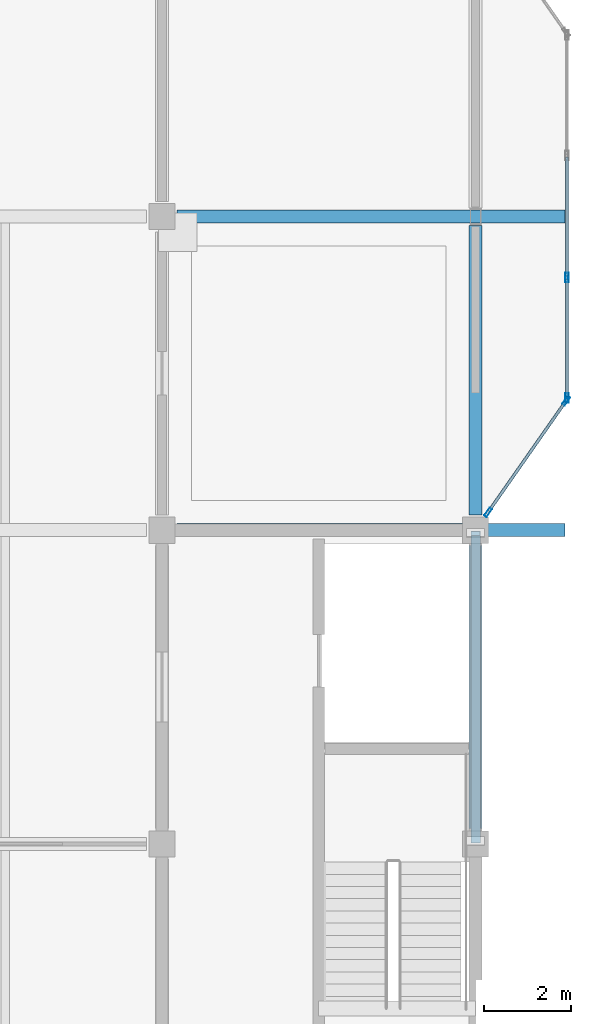
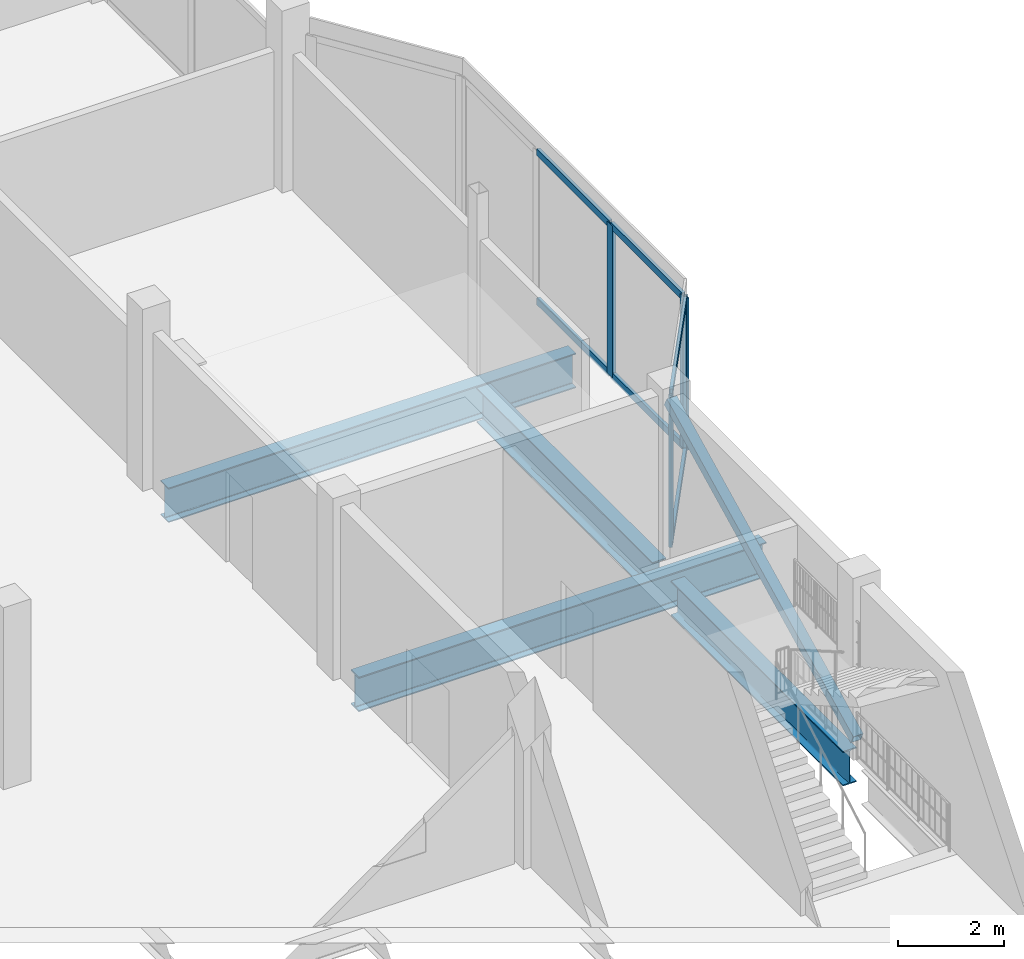
# One storey, part 30 of 51: 11 members, 4 beams, 2 elements without a shape of their own.
"""IFC4 building model written with IfcOpenShell, lengths in metres."""

from ifc_helpers import new_model, si_unit, direction, frame, origin, origin_2d, place, context, subcontext, project, spatial, hollow_rectangle, i_section, extrude, material, material_profile, profile_set, type_object, element, aggregate, save


model = new_model("IFC4")

# Units and contexts
model_context = context("Model", 3, precision=1e-05, world=origin(), true_north=direction((0.0, 1.0)))
body_context = subcontext(model_context, "Body", "Model", "MODEL_VIEW")
ifc_project = project(units=[si_unit("LENGTHUNIT", "METRE"), si_unit("AREAUNIT", "SQUARE_METRE"), si_unit("VOLUMEUNIT", "CUBIC_METRE"), si_unit("PLANEANGLEUNIT", "RADIAN"), si_unit("MASSUNIT", "GRAM", prefix="KILO")], contexts=[model_context])

# Site, building, storey
site_placement = place(None, origin())
site = spatial("IfcSite", under=ifc_project, at=site_placement, CompositionType="ELEMENT")
building_placement = place(site_placement, origin())
building = spatial("IfcBuilding", under=site, at=building_placement, Name="Vesperath Aquatics Centre", CompositionType="ELEMENT")
storey_placement = place(building_placement, frame((0.0, 0.0, 15.0)))
storey = spatial("IfcBuildingStorey", under=building, at=storey_placement, Name="L03", CompositionType="ELEMENT", Elevation=15.0)

# Beams
ifc_material_1 = material(Name="Steel Q355D", Category="steel")
ifc_material_profile_1 = material_profile(ifc_material_1, i_section(OverallWidth=0.300048828125, OverallDepth=0.800048828125, WebThickness=0.013916015625, FlangeThickness=0.02587890625, FilletRadius=0.028076171875, at=origin_2d()), Name="HN 800x300x14x26")
ifc_profile_set_1 = profile_set([ifc_material_profile_1], Name="Steel Q355D")
beam_type = type_object("IfcBeamType", Name="BM-G07", PredefinedType="BEAM", material=ifc_profile_set_1)
for number, where, z_axis, x_axis, name in (
    (1, (165.949951171875, 21.60009765625, -0.639892578125), (1.0, 0.0, 0.0), (0.0, 1.0, 0.0), "Floor Girder B07 L03 D 24-25"),
    (2, (165.949951171875, 28.800048828125, -0.639892578125), (1.0, 0.0, 0.0), (0.0, 1.0, 0.0), "Floor Girder B07 L03 E 24-25"),
):
    element("IfcBeam", number, at=place(storey_placement, frame(where, z_axis=z_axis, x_axis=x_axis)), inside=storey, type_object=beam_type, Name=name, PredefinedType="BEAM", context=body_context, shape_type="SweptSolid", body=[
        extrude(i_section(OverallWidth=0.300048828125, OverallDepth=0.800048828125, WebThickness=0.013916015625, FlangeThickness=0.02587890625, FilletRadius=0.028076171875, at=origin_2d()), origin(), (0.0, 0.0, 1.0), 8.900146484375),
    ])
beam_1_placement = place(storey_placement, frame((172.800048828125, 14.75, -0.639892578125), z_axis=(0.0, 1.0, 0.0), x_axis=(-1.0, 0.0, 0.0)))
element("IfcBeam", 3, at=beam_1_placement, inside=storey, type_object=beam_type, Name="Floor Girder B07 L03 25 C-D", PredefinedType="BEAM", context=body_context, shape_type="SweptSolid", body=[
    extrude(i_section(OverallWidth=0.300048828125, OverallDepth=0.800048828125, WebThickness=0.013916015625, FlangeThickness=0.02587890625, FilletRadius=0.028076171875, at=origin_2d()), origin(), (0.0, 0.0, 1.0), 6.5),
])
beam_2_placement = place(storey_placement, frame((172.800048828125, 21.949951171875, -0.639892578125), z_axis=(0.0, 1.0, 0.0), x_axis=(-1.0, 0.0, 0.0)))
element("IfcBeam", 4, at=beam_2_placement, inside=storey, type_object=beam_type, Name="Floor Girder B07 L03 25 D-E", PredefinedType="BEAM", context=body_context, shape_type="SweptSolid", body=[
    extrude(i_section(OverallWidth=0.300048828125, OverallDepth=0.800048828125, WebThickness=0.013916015625, FlangeThickness=0.02587890625, FilletRadius=0.028076171875, at=origin_2d()), origin(), (0.0, 0.0, 1.0), 6.650146484375),
])

# Member
ifc_material_profile_2 = material_profile(ifc_material_1, hollow_rectangle(XDim=0.219970703125, YDim=0.219970703125, WallThickness=0.010009765625, at=origin_2d()), Name="SHS 220x220x10")
ifc_profile_set_2 = profile_set([ifc_material_profile_2], Name="Steel Q355D")
member_type_1 = type_object("IfcMemberType", Name="MB-BR02", PredefinedType="BRACE", material=ifc_profile_set_2)
member_1_placement = place(storey_placement, frame((172.800048828125, 14.471435546875, 0.185791015625), z_axis=(0.0, 0.894439567874, 0.447188840895), x_axis=(-1.0, 0.0, 0.0)))
element("IfcMember", 5, at=member_1_placement, inside=storey, type_object=member_type_1, Name="Lateral Braced Frame Strut C6_E L03", PredefinedType="BRACE", context=body_context, shape_type="SweptSolid", body=[
    extrude(hollow_rectangle(XDim=0.219970703125, YDim=0.219970703125, WallThickness=0.010009765625, at=origin_2d()), origin(), (0.0, 0.0, 1.0), 7.889892578125),
])

# Curtain wall, members
ifc_material_2 = material(Name="Thermally broken anodised bronze aluminium curtain wall", Category="aluminium")
curtain_wall_type = type_object("IfcCurtainWallType", Name="CW-07", PredefinedType="NOTDEFINED", material=ifc_material_2)
curtain_wall_1_placement = place(storey_placement, origin())
curtain_wall_1 = element("IfcCurtainWall", 6, at=curtain_wall_1_placement, inside=storey, type_object=curtain_wall_type, Name="East Avenue Bow Oriel Curtain Wall L03-S", PredefinedType="NOTDEFINED")
ifc_material_3 = material(Name="Thermally broken anodised aluminium", Category="aluminium")
ifc_material_profile_3 = material_profile(ifc_material_3, hollow_rectangle(XDim=0.070068359375, YDim=0.219970703125, WallThickness=0.0048828125, at=origin_2d()), Name="CWM 70x220x5")
ifc_profile_set_3 = profile_set([ifc_material_profile_3], Name="Thermally broken anodised aluminium")
member_type_2 = type_object("IfcMemberType", Name="MB-CWM2", PredefinedType="MULLION", material=ifc_profile_set_3)
member_2_placement = place(storey_placement, frame((173.086181640625, 22.0087890625, 0.0), z_axis=(0.0, 0.0, 1.0), x_axis=(-0.819231920515, 0.57346234437, 0.0)))
member_2 = element("IfcMember", 7, at=member_2_placement, type_object=member_type_2, Name="CW07 mullion 1", PredefinedType="MULLION", context=body_context, shape_type="SweptSolid", body=[
    extrude(hollow_rectangle(XDim=0.070068359375, YDim=0.219970703125, WallThickness=0.0048828125, at=origin_2d()), origin(), (0.0, 0.0, 1.0), 3.510009765625),
])
member_3_placement = place(storey_placement, frame((174.8798828125, 24.5712890625, 0.0), z_axis=(0.0, 0.0, 1.0), x_axis=(-0.819231920515, 0.57346234437, 0.0)))
member_3 = element("IfcMember", 8, at=member_3_placement, type_object=member_type_2, Name="CW07 mullion 2", PredefinedType="MULLION", context=body_context, shape_type="SweptSolid", body=[
    extrude(hollow_rectangle(XDim=0.070068359375, YDim=0.219970703125, WallThickness=0.0048828125, at=origin_2d()), origin(), (0.0, 0.0, 1.0), 3.510009765625),
])

curtain_wall_2_placement = place(storey_placement, origin())
curtain_wall_2 = element("IfcCurtainWall", 9, at=curtain_wall_2_placement, inside=storey, type_object=curtain_wall_type, Name="East Avenue Bow Oriel Curtain Wall L03-C", PredefinedType="NOTDEFINED")
member_4_placement = place(storey_placement, frame((174.89990234375, 24.635009765625, 0.0), z_axis=(0.0, 0.0, 1.0), x_axis=(-1.0, 0.0, 0.0)))
member_4 = element("IfcMember", 10, at=member_4_placement, type_object=member_type_2, Name="CW07 mullion 1", PredefinedType="MULLION", context=body_context, shape_type="SweptSolid", body=[
    extrude(hollow_rectangle(XDim=0.070068359375, YDim=0.219970703125, WallThickness=0.0048828125, at=origin_2d()), origin(), (0.0, 0.0, 1.0), 3.510009765625),
])
member_5_placement = place(storey_placement, frame((174.89990234375, 27.39990234375, 0.0), z_axis=(0.0, 0.0, 1.0), x_axis=(-1.0, 0.0, 0.0)))
member_5 = element("IfcMember", 11, at=member_5_placement, type_object=member_type_2, Name="CW07 mullion 2", PredefinedType="MULLION", context=body_context, shape_type="SweptSolid", body=[
    extrude(hollow_rectangle(XDim=0.070068359375, YDim=0.219970703125, WallThickness=0.0048828125, at=origin_2d()), origin(), (0.0, 0.0, 1.0), 3.510009765625),
])

# Member
ifc_material_profile_4 = material_profile(ifc_material_3, hollow_rectangle(XDim=0.070068359375, YDim=0.159912109375, WallThickness=0.0048828125, at=origin_2d()), Name="CWT 70x160x5")
ifc_profile_set_4 = profile_set([ifc_material_profile_4], Name="Thermally broken anodised aluminium")
member_type_3 = type_object("IfcMemberType", Name="MB-CWT2", PredefinedType="USERDEFINED", material=ifc_profile_set_4)
member_6_placement = place(storey_placement, frame((173.106201171875, 22.037353515625, 0.034912109375), z_axis=(0.573440912472, 0.819246922426, 0.0), x_axis=(-0.819246922426, 0.573440912472, 0.0)))
member_6 = element("IfcMember", 12, at=member_6_placement, type_object=member_type_3, Name="CW07 transom 1.1", ObjectType="TRANSOM", PredefinedType="USERDEFINED", context=body_context, shape_type="SweptSolid", body=[
    extrude(hollow_rectangle(XDim=0.070068359375, YDim=0.159912109375, WallThickness=0.0048828125, at=origin_2d()), origin(), (0.0, 0.0, 1.0), 3.05810546875),
])

member_7_placement = place(storey_placement, frame((173.106201171875, 22.037353515625, 3.47509765625), z_axis=(0.573440912472, 0.819246922426, 0.0), x_axis=(-0.819246922426, 0.573440912472, 0.0)))
member_7 = element("IfcMember", 13, at=member_7_placement, type_object=member_type_3, Name="CW07 transom 1.2", ObjectType="TRANSOM", PredefinedType="USERDEFINED", context=body_context, shape_type="SweptSolid", body=[
    extrude(hollow_rectangle(XDim=0.070068359375, YDim=0.159912109375, WallThickness=0.0048828125, at=origin_2d()), origin(), (0.0, 0.0, 1.0), 3.05810546875),
])

aggregate(curtain_wall_1, [member_2, member_3, member_6, member_7])

member_8_placement = place(storey_placement, frame((174.89990234375, 24.669921875, 0.034912109375), z_axis=(0.0, 1.0, 0.0), x_axis=(-1.0, 0.0, 0.0)))
member_8 = element("IfcMember", 14, at=member_8_placement, type_object=member_type_3, Name="CW07 transom 1.1", ObjectType="TRANSOM", PredefinedType="USERDEFINED", context=body_context, shape_type="SweptSolid", body=[
    extrude(hollow_rectangle(XDim=0.070068359375, YDim=0.159912109375, WallThickness=0.0048828125, at=origin_2d()), origin(), (0.0, 0.0, 1.0), 2.695068359375),
])

member_9_placement = place(storey_placement, frame((174.89990234375, 24.669921875, 3.47509765625), z_axis=(0.0, 1.0, 0.0), x_axis=(-1.0, 0.0, 0.0)))
member_9 = element("IfcMember", 15, at=member_9_placement, type_object=member_type_3, Name="CW07 transom 1.2", ObjectType="TRANSOM", PredefinedType="USERDEFINED", context=body_context, shape_type="SweptSolid", body=[
    extrude(hollow_rectangle(XDim=0.070068359375, YDim=0.159912109375, WallThickness=0.0048828125, at=origin_2d()), origin(), (0.0, 0.0, 1.0), 2.695068359375),
])

member_10_placement = place(storey_placement, frame((174.89990234375, 27.43505859375, 0.034912109375), z_axis=(0.0, 1.0, 0.0), x_axis=(-1.0, 0.0, 0.0)))
member_10 = element("IfcMember", 16, at=member_10_placement, type_object=member_type_3, Name="CW07 transom 2.1", ObjectType="TRANSOM", PredefinedType="USERDEFINED", context=body_context, shape_type="SweptSolid", body=[
    extrude(hollow_rectangle(XDim=0.070068359375, YDim=0.159912109375, WallThickness=0.0048828125, at=origin_2d()), origin(), (0.0, 0.0, 1.0), 2.72998046875),
])

member_11_placement = place(storey_placement, frame((174.89990234375, 27.43505859375, 3.47509765625), z_axis=(0.0, 1.0, 0.0), x_axis=(-1.0, 0.0, 0.0)))
member_11 = element("IfcMember", 17, at=member_11_placement, type_object=member_type_3, Name="CW07 transom 2.2", ObjectType="TRANSOM", PredefinedType="USERDEFINED", context=body_context, shape_type="SweptSolid", body=[
    extrude(hollow_rectangle(XDim=0.070068359375, YDim=0.159912109375, WallThickness=0.0048828125, at=origin_2d()), origin(), (0.0, 0.0, 1.0), 2.72998046875),
])

aggregate(curtain_wall_2, [member_4, member_5, member_8, member_9, member_10, member_11])

save(model, "model.ifc")
